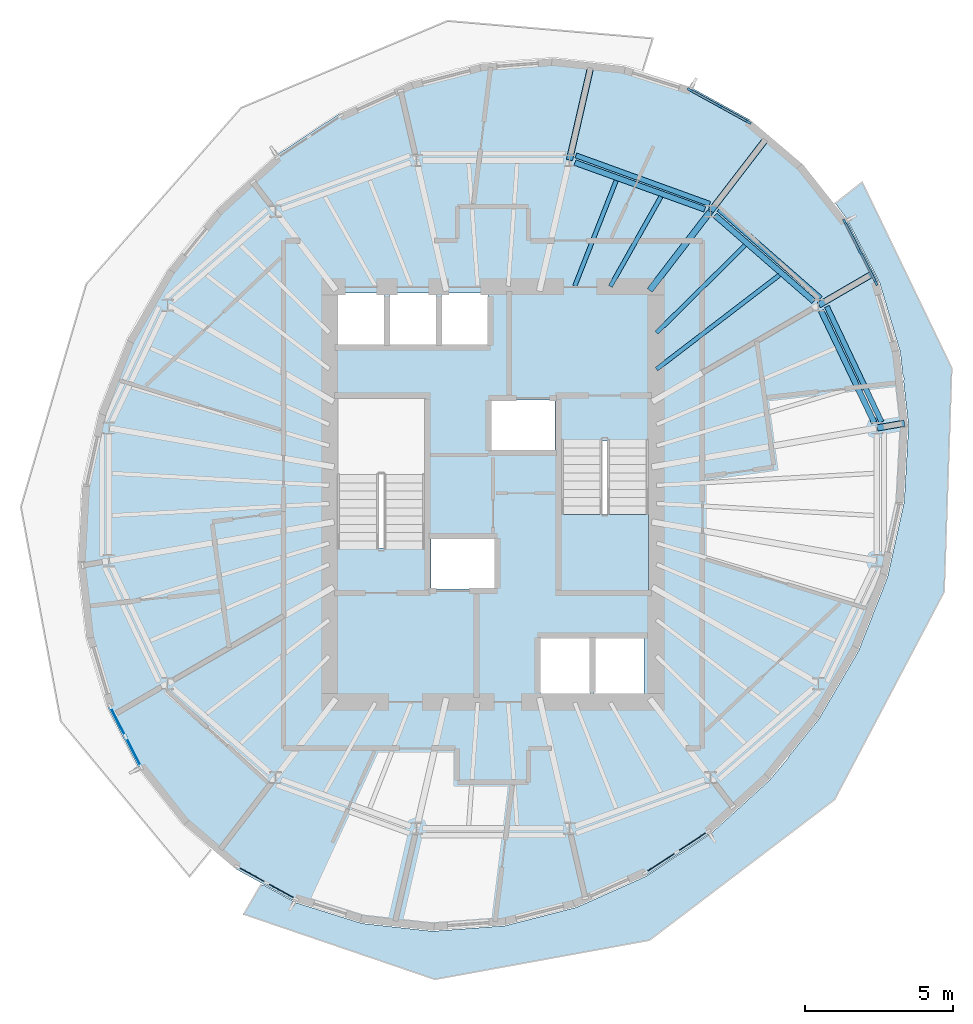
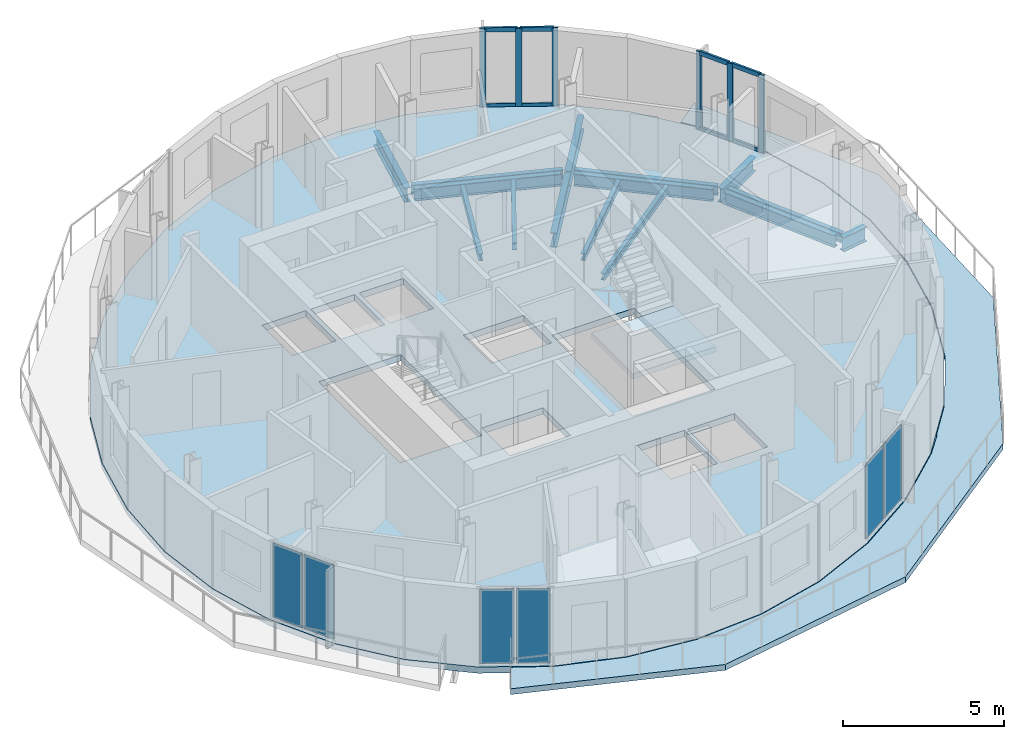
# One storey, part 3 of 11: 15 beams, 14 members, 6 plates, 3 slabs, 6 elements without a shape of their own.
"""IFC4 building model written with IfcOpenShell, lengths in metres."""

from ifc_helpers import new_model, si_unit, direction, frame, origin, origin_2d, place, context, subcontext, project, spatial, polyline, rectangle, i_section, outline, extrude, material, layer, layer_set, material_profile, profile_set, type_object, element, aggregate, save


model = new_model("IFC4")

# Units and contexts
model_context = context("Model", 3, precision=1e-05, world=origin(), true_north=direction((0.0, 1.0)))
body_context = subcontext(model_context, "Body", "Model", "MODEL_VIEW")
ifc_project = project(units=[si_unit("LENGTHUNIT", "METRE"), si_unit("AREAUNIT", "SQUARE_METRE"), si_unit("VOLUMEUNIT", "CUBIC_METRE"), si_unit("PLANEANGLEUNIT", "RADIAN"), si_unit("MASSUNIT", "GRAM", prefix="KILO")], contexts=[model_context])

# Site, building, storey
site_placement = place(None, origin())
site = spatial("IfcSite", under=ifc_project, at=site_placement, CompositionType="ELEMENT")
building_placement = place(site_placement, origin())
building = spatial("IfcBuilding", under=site, at=building_placement, Name="Veldorim Arch Residences", CompositionType="ELEMENT")
storey_placement = place(building_placement, frame((0.0, 0.0, 220.639892578125)))
storey = spatial("IfcBuildingStorey", under=building, at=storey_placement, Name="L66", CompositionType="ELEMENT", Elevation=220.639892578125)

# Beams
ifc_material_1 = material(Name="Steel S355", Category="steel")
ifc_material_profile_1 = material_profile(ifc_material_1, i_section(OverallWidth=0.2119140625, OverallDepth=0.54443359375, WebThickness=0.0126953125, FlangeThickness=0.021240234375, at=origin_2d()), Name="UB533x210x122")
ifc_profile_set_1 = profile_set([ifc_material_profile_1], Name="Steel S355")
beam_type_1 = type_object("IfcBeamType", Name="Structural Steel Beam UB533x210x122", PredefinedType="BEAM", material=ifc_profile_set_1)
beam_1_placement = place(storey_placement, frame((44.966064453125, 26.242919921875, -0.51220703125), z_axis=(0.985342848414, 0.170585670791, 0.0), x_axis=(-0.170585670791, 0.985342848414, 0.0)))
element("IfcBeam", 1, at=beam_1_placement, inside=storey, type_object=beam_type_1, Name="L66 radial edge cantilever girder 01", PredefinedType="BEAM", context=body_context, shape_type="SweptSolid", body=[
    extrude(i_section(OverallWidth=0.2119140625, OverallDepth=0.54443359375, WebThickness=0.0126953125, FlangeThickness=0.021240234375, at=origin_2d()), origin(), (0.0, 0.0, 1.0), 0.927490234375),
])
beam_2_placement = place(storey_placement, frame((42.99267578125, 30.387939453125, -0.51220703125), z_axis=(0.864613318974, 0.502437865465, 0.0), x_axis=(-0.502437865465, 0.864613318974, 0.0)))
element("IfcBeam", 2, at=beam_2_placement, inside=storey, type_object=beam_type_1, Name="L66 radial edge cantilever girder 02", PredefinedType="BEAM", context=body_context, shape_type="SweptSolid", body=[
    extrude(i_section(OverallWidth=0.2119140625, OverallDepth=0.54443359375, WebThickness=0.0126953125, FlangeThickness=0.021240234375, at=origin_2d()), origin(), (0.0, 0.0, 1.0), 2.045166015625),
])
beam_3_placement = place(storey_placement, frame((37.28662109375, 30.881103515625, -0.51220703125), z_axis=(0.609258442308, 0.792971721108, 0.0), x_axis=(-0.792971721108, 0.609258442308, 0.0)))
element("IfcBeam", 3, at=beam_3_placement, inside=storey, type_object=beam_type_1, Name="L66 radial floor girder 03", PredefinedType="BEAM", context=body_context, shape_type="SweptSolid", body=[
    extrude(i_section(OverallWidth=0.2119140625, OverallDepth=0.54443359375, WebThickness=0.0126953125, FlangeThickness=0.021240234375, at=origin_2d()), origin(), (0.0, 0.0, 1.0), 3.339599609375),
])
beam_4_placement = place(storey_placement, frame((39.345703125, 33.561279296875, -0.51220703125), z_axis=(0.609235463965, 0.792989375369, 0.0), x_axis=(-0.792989375369, 0.609235463965, 0.0)))
element("IfcBeam", 4, at=beam_4_placement, inside=storey, type_object=beam_type_1, Name="L66 radial edge cantilever girder 03", PredefinedType="BEAM", context=body_context, shape_type="SweptSolid", body=[
    extrude(i_section(OverallWidth=0.2119140625, OverallDepth=0.54443359375, WebThickness=0.0126953125, FlangeThickness=0.021240234375, at=origin_2d()), origin(), (0.0, 0.0, 1.0), 3.103759765625),
])
beam_5_placement = place(storey_placement, frame((34.57958984375, 35.27880859375, -0.51220703125), z_axis=(0.223019615736, 0.97481395712, 0.0), x_axis=(-0.97481395712, 0.223019615736, 0.0)))
element("IfcBeam", 5, at=beam_5_placement, inside=storey, type_object=beam_type_1, Name="L66 radial edge cantilever girder 04", PredefinedType="BEAM", context=body_context, shape_type="SweptSolid", body=[
    extrude(i_section(OverallWidth=0.2119140625, OverallDepth=0.54443359375, WebThickness=0.0126953125, FlangeThickness=0.021240234375, at=origin_2d()), origin(), (0.0, 0.0, 1.0), 3.2666015625),
])
ifc_material_2 = material(Name="Steel S355", Category="steel")
ifc_material_profile_2 = material_profile(ifc_material_2, i_section(OverallWidth=0.146484375, OverallDepth=0.256103515625, WebThickness=0.00634765625, FlangeThickness=0.010986328125, at=origin_2d()), Name="UB254x146x37")
ifc_profile_set_2 = profile_set([ifc_material_profile_2], Name="Steel S355")
beam_type_2 = type_object("IfcBeamType", Name="Structural Steel Joist UB254x146x37", PredefinedType="JOIST", material=ifc_profile_set_2)
beam_6_placement = place(storey_placement, frame((37.515869140625, 28.222900390625, -0.367919921875), z_axis=(0.794013672216, 0.607899899929, 0.0), x_axis=(-0.607899899929, 0.794013672216, 0.0)))
element("IfcBeam", 6, at=beam_6_placement, inside=storey, type_object=beam_type_2, Name="L66 secondary radial floor joist 02-1", PredefinedType="JOIST", context=body_context, shape_type="SweptSolid", body=[
    extrude(i_section(OverallWidth=0.146484375, OverallDepth=0.256103515625, WebThickness=0.00634765625, FlangeThickness=0.010986328125, at=origin_2d()), origin(), (0.0, 0.0, 1.0), 5.217041015625),
])
beam_7_placement = place(storey_placement, frame((37.51416015625, 29.44775390625, -0.367919921875), z_axis=(0.711396725432, 0.702790650937, 0.0), x_axis=(-0.702790650937, 0.711396725432, 0.0)))
element("IfcBeam", 7, at=beam_7_placement, inside=storey, type_object=beam_type_2, Name="L66 secondary radial floor joist 02-2", PredefinedType="JOIST", context=body_context, shape_type="SweptSolid", body=[
    extrude(i_section(OverallWidth=0.146484375, OverallDepth=0.256103515625, WebThickness=0.00634765625, FlangeThickness=0.010986328125, at=origin_2d()), origin(), (0.0, 0.0, 1.0), 4.198486328125),
])
beam_8_placement = place(storey_placement, frame((35.960205078125, 31.017333984375, -0.367919921875), z_axis=(0.491452469585, 0.870904397818, 0.0), x_axis=(-0.870904397818, 0.491452469585, 0.0)))
element("IfcBeam", 8, at=beam_8_placement, inside=storey, type_object=beam_type_2, Name="L66 secondary radial floor joist 03-1", PredefinedType="JOIST", context=body_context, shape_type="SweptSolid", body=[
    extrude(i_section(OverallWidth=0.146484375, OverallDepth=0.256103515625, WebThickness=0.00634765625, FlangeThickness=0.010986328125, at=origin_2d()), origin(), (0.0, 0.0, 1.0), 3.472412109375),
])
beam_9_placement = place(storey_placement, frame((34.75634765625, 31.0185546875, -0.367919921875), z_axis=(0.365581383042, 0.930779379001, 0.0), x_axis=(-0.930779379001, 0.365581383042, 0.0)))
element("IfcBeam", 9, at=beam_9_placement, inside=storey, type_object=beam_type_2, Name="L66 secondary radial floor joist 03-2", PredefinedType="JOIST", context=body_context, shape_type="SweptSolid", body=[
    extrude(i_section(OverallWidth=0.146484375, OverallDepth=0.256103515625, WebThickness=0.00634765625, FlangeThickness=0.010986328125, at=origin_2d()), origin(), (0.0, 0.0, 1.0), 3.83056640625),
])
ifc_material_3 = material(Name="Steel S355", Category="steel")
ifc_material_profile_3 = material_profile(ifc_material_3, i_section(OverallWidth=0.172119140625, OverallDepth=0.35791015625, WebThickness=0.008056640625, FlangeThickness=0.012939453125, at=origin_2d()), Name="UB356x171x57")
ifc_profile_set_3 = profile_set([ifc_material_profile_3], Name="Steel S355")
beam_type_3 = type_object("IfcBeamType", Name="Structural Steel Spandrel UB356x171x57", PredefinedType="SPANDREL", material=ifc_profile_set_3)
beam_10_placement = place(storey_placement, frame((45.106201171875, 26.4423828125, -0.43896484375), z_axis=(-0.428468601304, 0.903556670994, 0.0), x_axis=(-0.903556670994, -0.428468601304, 0.0)))
element("IfcBeam", 10, at=beam_10_placement, inside=storey, type_object=beam_type_3, Name="L66 perimeter chord spandrel beam 01", PredefinedType="SPANDREL", context=body_context, shape_type="SweptSolid", body=[
    extrude(i_section(OverallWidth=0.172119140625, OverallDepth=0.35791015625, WebThickness=0.008056640625, FlangeThickness=0.012939453125, at=origin_2d()), origin(), (0.0, 0.0, 1.0), 4.31005859375),
])
beam_11_placement = place(storey_placement, frame((43.048095703125, 30.6162109375, -0.43896484375), z_axis=(-0.752868439096, 0.658171036596, 0.0), x_axis=(-0.658171036596, -0.752868439096, 0.0)))
element("IfcBeam", 11, at=beam_11_placement, inside=storey, type_object=beam_type_3, Name="L66 perimeter chord spandrel beam 02", PredefinedType="SPANDREL", context=body_context, shape_type="SweptSolid", body=[
    extrude(i_section(OverallWidth=0.172119140625, OverallDepth=0.35791015625, WebThickness=0.008056640625, FlangeThickness=0.012939453125, at=origin_2d()), origin(), (0.0, 0.0, 1.0), 4.560791015625),
])
beam_12_placement = place(storey_placement, frame((39.311279296875, 33.796630859375, -0.43896484375), z_axis=(-0.940178823137, 0.340681347486, 0.0), x_axis=(-0.340681347486, -0.940178823137, 0.0)))
element("IfcBeam", 12, at=beam_12_placement, inside=storey, type_object=beam_type_3, Name="L66 perimeter chord spandrel beam 03", PredefinedType="SPANDREL", context=body_context, shape_type="SweptSolid", body=[
    extrude(i_section(OverallWidth=0.172119140625, OverallDepth=0.35791015625, WebThickness=0.008056640625, FlangeThickness=0.012939453125, at=origin_2d()), origin(), (0.0, 0.0, 1.0), 4.80126953125),
])
ifc_material_4 = material(Name="Steel S355", Category="steel")
ifc_material_profile_4 = material_profile(ifc_material_4, i_section(OverallWidth=0.19140625, OverallDepth=0.4599609375, WebThickness=0.010009765625, FlangeThickness=0.01611328125, at=origin_2d()), Name="UB457x191x82")
ifc_profile_set_4 = profile_set([ifc_material_profile_4], Name="Steel S355")
beam_type_4 = type_object("IfcBeamType", Name="Structural Steel Spandrel UB457x191x82", PredefinedType="SPANDREL", material=ifc_profile_set_4)
beam_13_placement = place(storey_placement, frame((44.85888671875, 26.42333984375, -0.469970703125), z_axis=(-0.429992574394, 0.902832424078, 0.0), x_axis=(-0.902832424078, -0.429992574394, 0.0)))
element("IfcBeam", 13, at=beam_13_placement, inside=storey, type_object=beam_type_4, Name="L66 perimeter ring tie beam 01", PredefinedType="SPANDREL", context=body_context, shape_type="SweptSolid", body=[
    extrude(i_section(OverallWidth=0.19140625, OverallDepth=0.4599609375, WebThickness=0.010009765625, FlangeThickness=0.01611328125, at=origin_2d()), origin(), (0.0, 0.0, 1.0), 4.176513671875),
])
beam_14_placement = place(storey_placement, frame((42.82177734375, 30.511474609375, -0.469970703125), z_axis=(-0.754534162517, 0.656260769508, 0.0), x_axis=(-0.656260769508, -0.754534162517, 0.0)))
element("IfcBeam", 14, at=beam_14_placement, inside=storey, type_object=beam_type_4, Name="L66 perimeter ring tie beam 02", PredefinedType="SPANDREL", context=body_context, shape_type="SweptSolid", body=[
    extrude(i_section(OverallWidth=0.19140625, OverallDepth=0.4599609375, WebThickness=0.010009765625, FlangeThickness=0.01611328125, at=origin_2d()), origin(), (0.0, 0.0, 1.0), 4.419677734375),
])
beam_15_placement = place(storey_placement, frame((39.14208984375, 33.6142578125, -0.469970703125), z_axis=(-0.940819134121, 0.338909068736, 0.0), x_axis=(-0.338909068736, -0.940819134121, 0.0)))
element("IfcBeam", 15, at=beam_15_placement, inside=storey, type_object=beam_type_4, Name="L66 perimeter ring tie beam 03", PredefinedType="SPANDREL", context=body_context, shape_type="SweptSolid", body=[
    extrude(i_section(OverallWidth=0.19140625, OverallDepth=0.4599609375, WebThickness=0.010009765625, FlangeThickness=0.01611328125, at=origin_2d()), origin(), (0.0, 0.0, 1.0), 4.650634765625),
])

# Curtain wall, members
ifc_material_5 = material(Name="Aluminium", Category="aluminium")
curtain_wall_type = type_object("IfcCurtainWallType", Name="Zone 4 High-Altitude Unitised Curtain Wall", PredefinedType="NOTDEFINED", material=ifc_material_5)
curtain_wall_1_placement = place(storey_placement, origin())
curtain_wall_1 = element("IfcCurtainWall", 16, at=curtain_wall_1_placement, inside=storey, type_object=curtain_wall_type, Name="L66 unitised curtain wall bay 01", PredefinedType="NOTDEFINED")
ifc_material_6 = material(Name="Aluminium", Category="aluminium")
ifc_material_profile_5 = material_profile(ifc_material_6, rectangle(XDim=0.074951171875, YDim=0.195068359375, at=origin_2d()), Name="ALU_MUL_75x195")
ifc_profile_set_5 = profile_set([ifc_material_profile_5], Name="Aluminium")
member_type_1 = type_object("IfcMemberType", Name="Zone 4 High-Altitude Unitised Curtain Wall Mullion 75x195", PredefinedType="MULLION", material=ifc_profile_set_5)
member_1_placement = place(storey_placement, frame((38.64306640625, 37.639892578125, 0.0), z_axis=(0.0, 0.0, 1.0), x_axis=(0.48195342655, 0.876196835555, 0.0)))
member_1 = element("IfcMember", 17, at=member_1_placement, type_object=member_type_1, Name="CW-Z4 mullion 1", PredefinedType="MULLION", context=body_context, shape_type="SweptSolid", body=[
    extrude(rectangle(XDim=0.074951171875, YDim=0.195068359375, at=origin_2d()), origin(), (0.0, 0.0, 1.0), 2.960205078125),
])
member_2_placement = place(storey_placement, frame((39.628662109375, 37.097900390625, 0.0), z_axis=(0.0, 0.0, 1.0), x_axis=(0.48195342655, 0.876196835555, 0.0)))
member_2 = element("IfcMember", 18, at=member_2_placement, type_object=member_type_1, Name="CW-Z4 mullion 2", PredefinedType="MULLION", context=body_context, shape_type="SweptSolid", body=[
    extrude(rectangle(XDim=0.074951171875, YDim=0.195068359375, at=origin_2d()), origin(), (0.0, 0.0, 1.0), 2.960205078125),
])
member_3_placement = place(storey_placement, frame((40.6142578125, 36.5556640625, 0.0), z_axis=(0.0, 0.0, 1.0), x_axis=(0.48195342655, 0.876196835555, 0.0)))
member_3 = element("IfcMember", 19, at=member_3_placement, type_object=member_type_1, Name="CW-Z4 mullion 3", PredefinedType="MULLION", context=body_context, shape_type="SweptSolid", body=[
    extrude(rectangle(XDim=0.074951171875, YDim=0.195068359375, at=origin_2d()), origin(), (0.0, 0.0, 1.0), 2.960205078125),
])

curtain_wall_2_placement = place(storey_placement, origin())
curtain_wall_2 = element("IfcCurtainWall", 20, at=curtain_wall_2_placement, inside=storey, type_object=curtain_wall_type, Name="L66 unitised curtain wall bay 34", PredefinedType="NOTDEFINED")
member_4_placement = place(storey_placement, frame((43.85546875, 33.19677734375, 0.0), z_axis=(0.0, 0.0, 1.0), x_axis=(0.889131048935, 0.457652682523, 0.0)))
member_4 = element("IfcMember", 21, at=member_4_placement, type_object=member_type_1, Name="CW-Z4 mullion 1", PredefinedType="MULLION", context=body_context, shape_type="SweptSolid", body=[
    extrude(rectangle(XDim=0.074951171875, YDim=0.195068359375, at=origin_2d()), origin(), (0.0, 0.0, 1.0), 2.960205078125),
])
member_5_placement = place(storey_placement, frame((44.384521484375, 32.16845703125, 0.0), z_axis=(0.0, 0.0, 1.0), x_axis=(0.889131048935, 0.457652682523, 0.0)))
member_5 = element("IfcMember", 22, at=member_5_placement, type_object=member_type_1, Name="CW-Z4 mullion 2", PredefinedType="MULLION", context=body_context, shape_type="SweptSolid", body=[
    extrude(rectangle(XDim=0.074951171875, YDim=0.195068359375, at=origin_2d()), origin(), (0.0, 0.0, 1.0), 2.960205078125),
])
member_6_placement = place(storey_placement, frame((44.913818359375, 31.140380859375, 0.0), z_axis=(0.0, 0.0, 1.0), x_axis=(0.889131048935, 0.457652682523, 0.0)))
member_6 = element("IfcMember", 23, at=member_6_placement, type_object=member_type_1, Name="CW-Z4 mullion 3", PredefinedType="MULLION", context=body_context, shape_type="SweptSolid", body=[
    extrude(rectangle(XDim=0.074951171875, YDim=0.195068359375, at=origin_2d()), origin(), (0.0, 0.0, 1.0), 2.960205078125),
])

# Member
ifc_material_7 = material(Name="Aluminium", Category="aluminium")
ifc_material_profile_6 = material_profile(ifc_material_7, rectangle(XDim=0.074951171875, YDim=0.1650390625, at=origin_2d()), Name="ALU_TRN_75x165")
ifc_profile_set_6 = profile_set([ifc_material_profile_6], Name="Aluminium")
member_type_2 = type_object("IfcMemberType", Name="Zone 4 High-Altitude Unitised Curtain Wall Transom 75x165", PredefinedType="USERDEFINED", material=ifc_profile_set_6)
member_7_placement = place(storey_placement, frame((38.676025390625, 37.621826171875, 0.03759765625), z_axis=(0.876255185149, -0.481847331112, 0.0), x_axis=(0.481847331112, 0.876255185149, 0.0)))
member_7 = element("IfcMember", 24, at=member_7_placement, type_object=member_type_2, Name="CW-Z4 transom 1.1", ObjectType="TRANSOM", PredefinedType="USERDEFINED", context=body_context, shape_type="SweptSolid", body=[
    extrude(rectangle(XDim=0.074951171875, YDim=0.1650390625, at=origin_2d()), origin(), (0.0, 0.0, 1.0), 1.0498046875),
])

member_8_placement = place(storey_placement, frame((38.676025390625, 37.621826171875, 2.922607421875), z_axis=(0.876255185149, -0.481847331112, 0.0), x_axis=(0.481847331112, 0.876255185149, 0.0)))
member_8 = element("IfcMember", 25, at=member_8_placement, type_object=member_type_2, Name="CW-Z4 transom 1.2", ObjectType="TRANSOM", PredefinedType="USERDEFINED", context=body_context, shape_type="SweptSolid", body=[
    extrude(rectangle(XDim=0.074951171875, YDim=0.1650390625, at=origin_2d()), origin(), (0.0, 0.0, 1.0), 1.0498046875),
])

member_9_placement = place(storey_placement, frame((39.66162109375, 37.079833984375, 0.03759765625), z_axis=(0.876156989658, -0.482025859756, 0.0), x_axis=(0.482025859756, 0.876156989658, 0.0)))
member_9 = element("IfcMember", 26, at=member_9_placement, type_object=member_type_2, Name="CW-Z4 transom 2.1", ObjectType="TRANSOM", PredefinedType="USERDEFINED", context=body_context, shape_type="SweptSolid", body=[
    extrude(rectangle(XDim=0.074951171875, YDim=0.1650390625, at=origin_2d()), origin(), (0.0, 0.0, 1.0), 1.050048828125),
])

member_10_placement = place(storey_placement, frame((39.66162109375, 37.079833984375, 2.922607421875), z_axis=(0.876156989658, -0.482025859756, 0.0), x_axis=(0.482025859756, 0.876156989658, 0.0)))
member_10 = element("IfcMember", 27, at=member_10_placement, type_object=member_type_2, Name="CW-Z4 transom 2.2", ObjectType="TRANSOM", PredefinedType="USERDEFINED", context=body_context, shape_type="SweptSolid", body=[
    extrude(rectangle(XDim=0.074951171875, YDim=0.1650390625, at=origin_2d()), origin(), (0.0, 0.0, 1.0), 1.050048828125),
])

aggregate(curtain_wall_1, [member_1, member_2, member_3, member_7, member_8, member_9, member_10])

member_11_placement = place(storey_placement, frame((43.87255859375, 33.163330078125, 0.03759765625), z_axis=(0.457659181253, -0.889127703885, 0.0), x_axis=(0.889127703885, 0.457659181253, 0.0)))
member_11 = element("IfcMember", 28, at=member_11_placement, type_object=member_type_2, Name="CW-Z4 transom 1.1", ObjectType="TRANSOM", PredefinedType="USERDEFINED", context=body_context, shape_type="SweptSolid", body=[
    extrude(rectangle(XDim=0.074951171875, YDim=0.1650390625, at=origin_2d()), origin(), (0.0, 0.0, 1.0), 1.081298828125),
])

member_12_placement = place(storey_placement, frame((43.87255859375, 33.163330078125, 2.922607421875), z_axis=(0.457659181253, -0.889127703885, 0.0), x_axis=(0.889127703885, 0.457659181253, 0.0)))
member_12 = element("IfcMember", 29, at=member_12_placement, type_object=member_type_2, Name="CW-Z4 transom 1.2", ObjectType="TRANSOM", PredefinedType="USERDEFINED", context=body_context, shape_type="SweptSolid", body=[
    extrude(rectangle(XDim=0.074951171875, YDim=0.1650390625, at=origin_2d()), origin(), (0.0, 0.0, 1.0), 1.081298828125),
])

member_13_placement = place(storey_placement, frame((44.40185546875, 32.13525390625, 0.03759765625), z_axis=(0.457567322801, -0.889174980026, 0.0), x_axis=(0.889174980026, 0.457567322801, 0.0)))
member_13 = element("IfcMember", 30, at=member_13_placement, type_object=member_type_2, Name="CW-Z4 transom 2.1", ObjectType="TRANSOM", PredefinedType="USERDEFINED", context=body_context, shape_type="SweptSolid", body=[
    extrude(rectangle(XDim=0.074951171875, YDim=0.1650390625, at=origin_2d()), origin(), (0.0, 0.0, 1.0), 1.08154296875),
])

member_14_placement = place(storey_placement, frame((44.40185546875, 32.13525390625, 2.922607421875), z_axis=(0.457567322801, -0.889174980026, 0.0), x_axis=(0.889174980026, 0.457567322801, 0.0)))
member_14 = element("IfcMember", 31, at=member_14_placement, type_object=member_type_2, Name="CW-Z4 transom 2.2", ObjectType="TRANSOM", PredefinedType="USERDEFINED", context=body_context, shape_type="SweptSolid", body=[
    extrude(rectangle(XDim=0.074951171875, YDim=0.1650390625, at=origin_2d()), origin(), (0.0, 0.0, 1.0), 1.08154296875),
])

aggregate(curtain_wall_2, [member_4, member_5, member_6, member_11, member_12, member_13, member_14])

# Slab
ifc_material_8 = material(Name="Concrete C40/50", Category="concrete")
ifc_layer_1 = layer(ifc_material_8, 0.219970703125, Name="Planted Crescent Cantilever Balcony Slab 220")
ifc_layer_set_1 = layer_set([ifc_layer_1], Name="Concrete C40/50")
slab_type_1 = type_object("IfcSlabType", Name="Planted Crescent Cantilever Balcony Slab 220", PredefinedType="FLOOR", material=ifc_layer_set_1)
slab_1_placement = place(storey_placement, frame((0.0, 0.0, -0.219970703125)))
element("IfcSlab", 32, at=slab_1_placement, inside=storey, type_object=slab_type_1, Name="L66 planted crescent balcony slab B", PredefinedType="FLOOR", context=body_context, shape_type="SweptSolid", body=[
    extrude(outline(polyline([(24.3037109375, 10.80810546875), (25.33642578125, 10.239990234375), (27.580078125, 9.535400390625), (29.9580078125, 9.270751953125), (32.397705078125, 9.45361328125), (34.8251953125, 10.078369140625), (37.16650390625, 11.1259765625), (39.35107421875, 12.564697265625), (41.31201171875, 14.3505859375), (41.93212890625, 15.08447265625), (41.990478515625, 15.19140625), (42.989990234375, 16.4296875), (44.33447265625, 18.73876953125), (45.30419921875, 21.20751953125), (45.869873046875, 23.76123046875), (46.014404296875, 26.322265625), (45.847412109375, 27.79931640625), (45.8583984375, 27.9248046875), (45.8232421875, 28.014404296875), (45.73291015625, 28.81298828125), (45.0341796875, 31.15771484375), (43.939208984375, 33.284912109375), (43.546142578125, 33.817138671875), (44.449462890625, 34.52880859375), (47.470947265625, 28.262939453125), (47.212890625, 20.7119140625), (43.517822265625, 13.707763671875), (37.28125, 8.970947265625), (30.0439453125, 7.64990234375), (23.59912109375, 9.8466796875), (24.1767578125, 10.8408203125), (24.3037109375, 10.80810546875)])), origin(), (0.0, 0.0, 1.0), 0.219970703125),
])

# Stair, slab
ifc_material_9 = material(Name="Concrete C40/50", Category="concrete")
stair_type = type_object("IfcStairType", Name="Reinforced Concrete Dogleg Exit Staircase", PredefinedType="HALF_TURN_STAIR", material=ifc_material_9)
stair_placement = place(storey_placement, origin())
stair = element("IfcStair", 33, at=stair_placement, inside=storey, type_object=stair_type, Name="L66 Exit Staircase ST-2", PredefinedType="HALF_TURN_STAIR")
ifc_material_10 = material(Name="Concrete C40/50", Category="concrete")
ifc_layer_2 = layer(ifc_material_10, 0.199951171875, Name="Reinforced Concrete Stair Landing 200")
ifc_layer_set_2 = layer_set([ifc_layer_2], Name="Concrete C40/50")
slab_type_2 = type_object("IfcSlabType", Name="Reinforced Concrete Stair Landing 200", PredefinedType="LANDING", material=ifc_layer_set_2)
slab_2_placement = place(storey_placement, frame((0.0, 0.0, 1.400146484375)))
slab_2 = element("IfcSlab", 34, at=slab_2_placement, type_object=slab_type_2, Name="ST-2 landing 1", PredefinedType="LANDING", context=body_context, shape_type="SweptSolid", body=[
    extrude(outline(polyline([(34.2900390625, 23.330078125), (34.2900390625, 20.75), (37.25, 20.75), (37.25, 23.330078125), (34.2900390625, 23.330078125)])), origin(), (0.0, 0.0, 1.0), 0.199951171875),
])
aggregate(stair, [slab_2])

# Slab
ifc_material_11 = material(Name="Concrete C40/50", Category="concrete")
ifc_layer_3 = layer(ifc_material_11, 0.239990234375, Name="Typical Residential Floor Slab 240")
ifc_layer_set_3 = layer_set([ifc_layer_3], Name="Concrete C40/50")
slab_type_3 = type_object("IfcSlabType", Name="Typical Residential Floor Slab 240", PredefinedType="FLOOR", material=ifc_layer_set_3)
slab_3_placement = place(storey_placement, frame((0.0, 0.0, -0.239990234375)))
element("IfcSlab", 35, at=slab_3_placement, inside=storey, type_object=slab_type_3, Name="L66 tower structural floor slab", PredefinedType="FLOOR", context=body_context, shape_type="SweptSolid", body=[
    extrude(outline(polyline([(40.690673828125, 36.616455078125), (38.65380859375, 37.73681640625), (36.414794921875, 38.43994140625), (34.04150390625, 38.7041015625), (31.606201171875, 38.521728515625), (29.18310546875, 37.89794921875), (26.845458984375, 36.85205078125), (24.664306640625, 35.415283203125), (22.706298828125, 33.632080078125), (21.030517578125, 31.555908203125), (19.68798828125, 29.25048828125), (18.7197265625, 26.78515625), (18.15478515625, 24.2353515625), (18.0107421875, 21.678466796875), (18.29150390625, 19.192138671875), (18.989013671875, 16.851806640625), (20.081787109375, 14.728759765625), (21.53662109375, 12.88720703125), (23.309326171875, 11.383544921875), (25.34619140625, 10.26318359375), (27.585205078125, 9.56005859375), (29.95849609375, 9.2958984375), (32.393798828125, 9.478271484375), (34.81689453125, 10.10205078125), (37.154541015625, 11.14794921875), (39.335693359375, 12.584716796875), (41.293701171875, 14.367919921875), (42.969482421875, 16.444091796875), (44.31201171875, 18.74951171875), (45.2802734375, 21.21484375), (45.84521484375, 23.7646484375), (45.9892578125, 26.321533203125), (45.70849609375, 28.807861328125), (45.010986328125, 31.148193359375), (43.918212890625, 33.271240234375), (42.46337890625, 35.11279296875), (40.690673828125, 36.616455078125)]), holes=[polyline([(33.610107421875, 17.2099609375), (33.610107421875, 19.2900390625), (35.2900390625, 19.2900390625), (35.2900390625, 17.2099609375), (33.610107421875, 17.2099609375)]), polyline([(35.409912109375, 17.2099609375), (35.409912109375, 19.2900390625), (37.090087890625, 19.2900390625), (37.090087890625, 17.2099609375), (35.409912109375, 17.2099609375)]), polyline([(29.909912109375, 20.81494140625), (29.909912109375, 22.544921875), (32.090087890625, 22.544921875), (32.090087890625, 20.81494140625), (29.909912109375, 20.81494140625)]), polyline([(34.2900390625, 20.75), (34.2900390625, 25.804931640625), (37.25, 25.804931640625), (37.25, 20.75), (34.2900390625, 20.75)]), polyline([(26.75, 22.195068359375), (26.75, 27.25), (29.7099609375, 27.25), (29.7099609375, 22.195068359375), (26.75, 22.195068359375)]), polyline([(31.909912109375, 25.455078125), (31.909912109375, 27.18505859375), (34.090087890625, 27.18505859375), (34.090087890625, 25.455078125), (31.909912109375, 25.455078125)]), polyline([(26.760009765625, 28.909912109375), (26.760009765625, 30.7900390625), (28.340087890625, 30.7900390625), (28.340087890625, 28.909912109375), (26.760009765625, 28.909912109375)]), polyline([(28.510009765625, 30.7900390625), (30.090087890625, 30.7900390625), (30.090087890625, 28.909912109375), (28.510009765625, 28.909912109375), (28.510009765625, 30.7900390625)]), polyline([(30.260009765625, 30.7900390625), (31.840087890625, 30.7900390625), (31.840087890625, 28.909912109375), (30.260009765625, 28.909912109375), (30.260009765625, 30.7900390625)])]), origin(), (0.0, 0.0, 1.0), 0.239990234375),
])

# Curtain wall, plates
curtain_wall_3_placement = place(storey_placement, origin())
curtain_wall_3 = element("IfcCurtainWall", 36, at=curtain_wall_3_placement, inside=storey, type_object=curtain_wall_type, Name="L66 unitised curtain wall bay 16", PredefinedType="NOTDEFINED")
ifc_material_12 = material(Name="Laminated Low-E Glass", Category="glass")
ifc_layer_4 = layer(ifc_material_12, 0.030029296875, Name="Zone 4 High-Altitude Unitised Curtain Wall Glazing Panel 30")
ifc_layer_set_4 = layer_set([ifc_layer_4], Name="Laminated Low-E Glass")
plate_type = type_object("IfcPlateType", Name="Zone 4 High-Altitude Unitised Curtain Wall Glazing Panel 30", PredefinedType="CURTAIN_PANEL", material=ifc_layer_set_4)
plate_1_placement = place(storey_placement, frame((19.880126953125, 15.3173828125, 0.0751953125), z_axis=(0.0, 0.0, 1.0), x_axis=(-0.457652682523, 0.889131048935, 0.0)))
plate_1 = element("IfcPlate", 37, at=plate_1_placement, type_object=plate_type, Name="CW-Z4 panel 1.1", PredefinedType="CURTAIN_PANEL", context=body_context, shape_type="SweptSolid", body=[
    extrude(rectangle(XDim=1.081298828125, YDim=0.030029296875, at=origin_2d()), origin(), (0.0, 0.0, 1.0), 2.81005859375),
])
plate_2_placement = place(storey_placement, frame((19.350830078125, 16.345458984375, 0.0751953125), z_axis=(0.0, 0.0, 1.0), x_axis=(-0.457652682523, 0.889131048935, 0.0)))
plate_2 = element("IfcPlate", 38, at=plate_2_placement, type_object=plate_type, Name="CW-Z4 panel 2.1", PredefinedType="CURTAIN_PANEL", context=body_context, shape_type="SweptSolid", body=[
    extrude(rectangle(XDim=1.081298828125, YDim=0.030029296875, at=origin_2d()), origin(), (0.0, 0.0, 1.0), 2.81005859375),
])
aggregate(curtain_wall_3, [plate_1, plate_2])

curtain_wall_4_placement = place(storey_placement, origin())
curtain_wall_4 = element("IfcCurtainWall", 39, at=curtain_wall_4_placement, inside=storey, type_object=curtain_wall_type, Name="L66 unitised curtain wall bay 19", PredefinedType="NOTDEFINED")
plate_3_placement = place(storey_placement, frame((24.864013671875, 10.631103515625, 0.0751953125), z_axis=(0.0, 0.0, 1.0), x_axis=(-0.876196835555, 0.48195342655, 0.0)))
plate_3 = element("IfcPlate", 40, at=plate_3_placement, type_object=plate_type, Name="CW-Z4 panel 1.1", PredefinedType="CURTAIN_PANEL", context=body_context, shape_type="SweptSolid", body=[
    extrude(rectangle(XDim=1.0498046875, YDim=0.030029296875, at=origin_2d()), origin(), (0.0, 0.0, 1.0), 2.81005859375),
])
plate_4_placement = place(storey_placement, frame((23.87841796875, 11.17333984375, 0.0751953125), z_axis=(0.0, 0.0, 1.0), x_axis=(-0.876196835555, 0.48195342655, 0.0)))
plate_4 = element("IfcPlate", 41, at=plate_4_placement, type_object=plate_type, Name="CW-Z4 panel 2.1", PredefinedType="CURTAIN_PANEL", context=body_context, shape_type="SweptSolid", body=[
    extrude(rectangle(XDim=1.0498046875, YDim=0.030029296875, at=origin_2d()), origin(), (0.0, 0.0, 1.0), 2.81005859375),
])
aggregate(curtain_wall_4, [plate_3, plate_4])

curtain_wall_5_placement = place(storey_placement, origin())
curtain_wall_5 = element("IfcCurtainWall", 42, at=curtain_wall_5_placement, inside=storey, type_object=curtain_wall_type, Name="L66 unitised curtain wall bay 25", PredefinedType="NOTDEFINED")
plate_5_placement = place(storey_placement, frame((38.72509765625, 12.290283203125, 0.0751953125), z_axis=(0.0, 0.0, 1.0), x_axis=(-0.835124104582, -0.550061569233, 0.0)))
plate_5 = element("IfcPlate", 43, at=plate_5_placement, type_object=plate_type, Name="CW-Z4 panel 1.1", PredefinedType="CURTAIN_PANEL", context=body_context, shape_type="SweptSolid", body=[
    extrude(rectangle(XDim=1.193359375, YDim=0.030029296875, at=origin_2d()), origin(), (0.0, 0.0, 1.0), 2.81005859375),
])
plate_6_placement = place(storey_placement, frame((37.666015625, 11.5927734375, 0.0751953125), z_axis=(0.0, 0.0, 1.0), x_axis=(-0.835124104582, -0.550061569233, 0.0)))
plate_6 = element("IfcPlate", 44, at=plate_6_placement, type_object=plate_type, Name="CW-Z4 panel 2.1", PredefinedType="CURTAIN_PANEL", context=body_context, shape_type="SweptSolid", body=[
    extrude(rectangle(XDim=1.193359375, YDim=0.030029296875, at=origin_2d()), origin(), (0.0, 0.0, 1.0), 2.81005859375),
])
aggregate(curtain_wall_5, [plate_5, plate_6])

save(model, "model.ifc")
